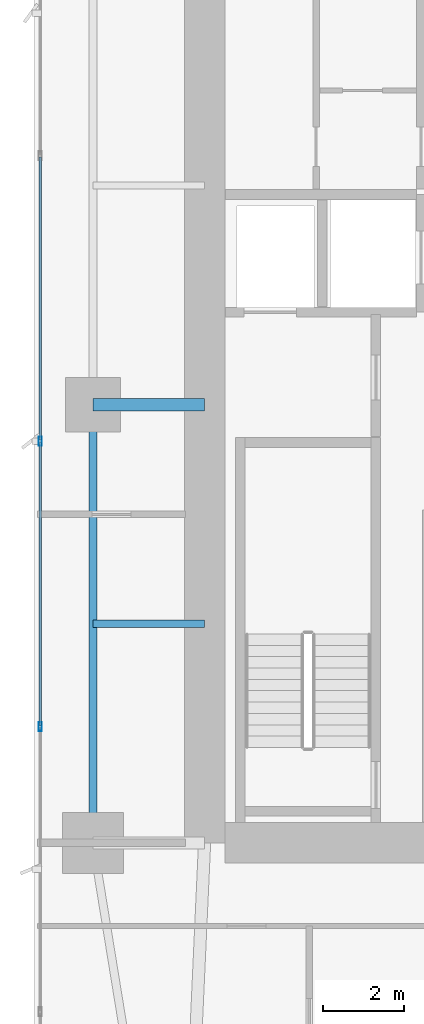
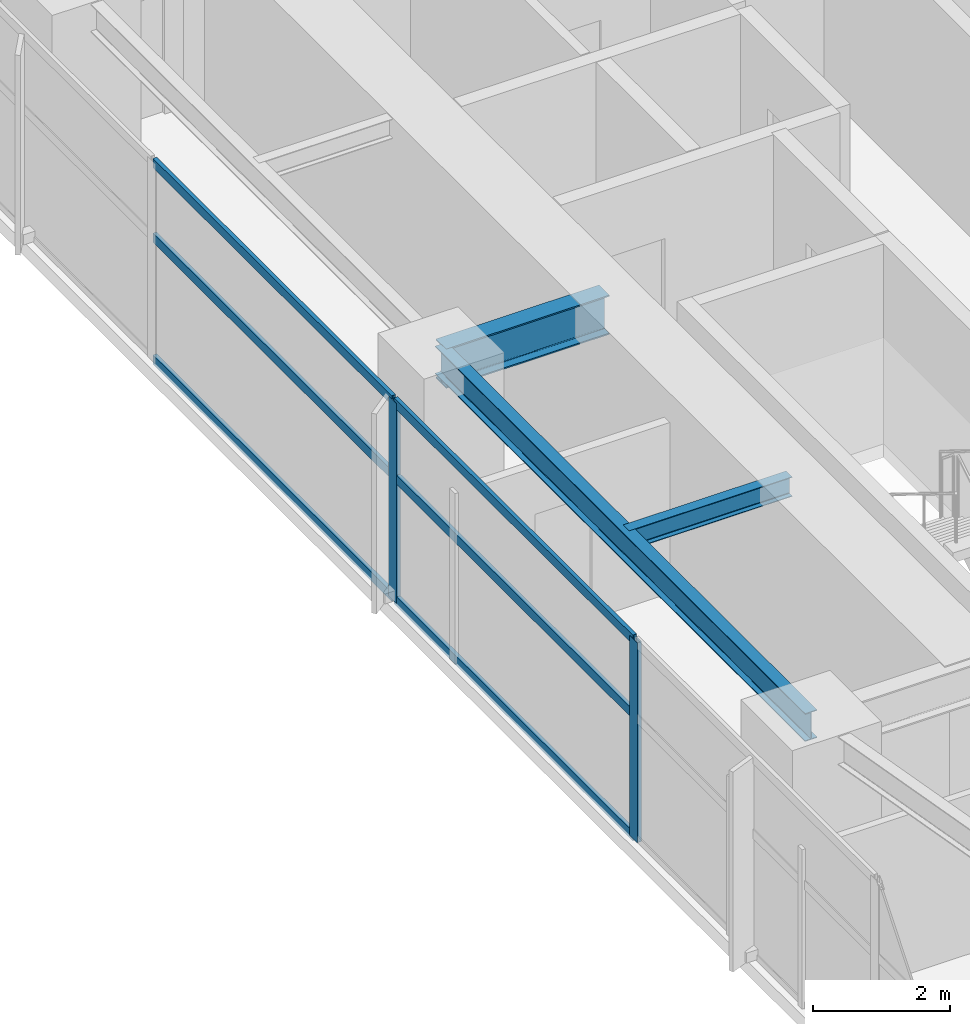
# One storey, part 8 of 30: 8 members, 3 beams, 1 element without a shape of its own.
"""IFC4 building model written with IfcOpenShell, lengths in metres."""

from ifc_helpers import new_model, si_unit, direction, frame, origin, origin_2d, place, context, subcontext, project, spatial, hollow_rectangle, i_section, extrude, material, layer, layer_set, material_profile, profile_set, type_object, element, aggregate, save


model = new_model("IFC4")

# Units and contexts
model_context = context("Model", 3, precision=1e-05, world=origin(), true_north=direction((0.0, 1.0)))
body_context = subcontext(model_context, "Body", "Model", "MODEL_VIEW")
ifc_project = project(units=[si_unit("LENGTHUNIT", "METRE"), si_unit("AREAUNIT", "SQUARE_METRE"), si_unit("VOLUMEUNIT", "CUBIC_METRE"), si_unit("PLANEANGLEUNIT", "RADIAN"), si_unit("MASSUNIT", "GRAM", prefix="KILO")], contexts=[model_context])

# Site, building, storey
site_placement = place(None, origin())
site = spatial("IfcSite", under=ifc_project, at=site_placement, CompositionType="ELEMENT")
building_placement = place(site_placement, origin())
building = spatial("IfcBuilding", under=site, at=building_placement, Name="Calvorn Quay Hotel", CompositionType="ELEMENT")
storey_placement = place(building_placement, frame((0.0, 0.0, 73.60009765625)))
storey = spatial("IfcBuildingStorey", under=building, at=storey_placement, Name="L17", CompositionType="ELEMENT", Elevation=73.60009765625)

# Beams
ifc_material_1 = material(Name="Steel Q390GJC", Category="steel")
ifc_material_profile_1 = material_profile(ifc_material_1, i_section(OverallWidth=0.300048828125, OverallDepth=0.699951171875, WebThickness=0.012939453125, FlangeThickness=0.02392578125, FilletRadius=0.02392578125, at=origin_2d()), Name="HN700x300x13x24")
ifc_profile_set_1 = profile_set([ifc_material_profile_1], Name="Steel Q390GJC")
beam_type_1 = type_object("IfcBeamType", Name="BM-GIRD-MAIN", PredefinedType="BEAM", material=ifc_profile_set_1)
beam_1_placement = place(storey_placement, frame((1.449951171875, 27.60009765625, 3.18994140625), z_axis=(1.0, 0.0, 0.0), x_axis=(0.0, 1.0, 0.0)))
element("IfcBeam", 1, at=beam_1_placement, inside=storey, type_object=beam_type_1, Name="Beam BG-L17-W2", PredefinedType="BEAM", context=body_context, shape_type="SweptSolid", body=[
    extrude(i_section(OverallWidth=0.300048828125, OverallDepth=0.699951171875, WebThickness=0.012939453125, FlangeThickness=0.02392578125, FilletRadius=0.02392578125, at=origin_2d()), origin(), (0.0, 0.0, 1.0), 2.75),
])
ifc_material_2 = material(Name="Steel Q355B", Category="steel")
ifc_material_profile_2 = material_profile(ifc_material_2, i_section(OverallWidth=0.175048828125, OverallDepth=0.35009765625, WebThickness=0.007080078125, FlangeThickness=0.010986328125, FilletRadius=0.013916015625, at=origin_2d()), Name="HN350x175x7x11")
ifc_profile_set_2 = profile_set([ifc_material_profile_2], Name="Steel Q355B")
beam_type_2 = type_object("IfcBeamType", Name="BM-JOIST-SEC", PredefinedType="JOIST", material=ifc_profile_set_2)
beam_2_placement = place(storey_placement, frame((1.449951171875, 22.199951171875, 3.364990234375), z_axis=(1.0, 0.0, 0.0), x_axis=(0.0, 1.0, 0.0)))
element("IfcBeam", 2, at=beam_2_placement, inside=storey, type_object=beam_type_2, Name="Beam BJ-L17-W3", PredefinedType="JOIST", context=body_context, shape_type="SweptSolid", body=[
    extrude(i_section(OverallWidth=0.175048828125, OverallDepth=0.35009765625, WebThickness=0.007080078125, FlangeThickness=0.010986328125, FilletRadius=0.013916015625, at=origin_2d()), origin(), (0.0, 0.0, 1.0), 2.75),
])
ifc_material_3 = material(Name="Steel Q355B", Category="steel")
ifc_material_profile_3 = material_profile(ifc_material_3, i_section(OverallWidth=0.199951171875, OverallDepth=0.5, WebThickness=0.010009765625, FlangeThickness=0.01611328125, FilletRadius=0.01611328125, at=origin_2d()), Name="HN500x200x10x16")
ifc_profile_set_3 = profile_set([ifc_material_profile_3], Name="Steel Q355B")
beam_type_3 = type_object("IfcBeamType", Name="BM-SPANDREL-Z1", PredefinedType="SPANDREL", material=ifc_profile_set_3)
beam_3_placement = place(storey_placement, frame((1.449951171875, 16.800048828125, 3.289794921875), z_axis=(0.0, 1.0, 0.0), x_axis=(-1.0, 0.0, 0.0)))
element("IfcBeam", 3, at=beam_3_placement, inside=storey, type_object=beam_type_3, Name="Beam BSP-L17-W2", PredefinedType="SPANDREL", context=body_context, shape_type="SweptSolid", body=[
    extrude(i_section(OverallWidth=0.199951171875, OverallDepth=0.5, WebThickness=0.010009765625, FlangeThickness=0.01611328125, FilletRadius=0.01611328125, at=origin_2d()), origin(), (0.0, 0.0, 1.0), 10.800048828125),
])

# Curtain wall, members
ifc_material_4 = material(Name="Pale Anodised Aluminium and Low-E Glass", Category="aluminium")
ifc_layer = layer(ifc_material_4, 0.219970703125)
ifc_layer_set = layer_set([ifc_layer], Name="CW-SYS-Z1")
curtain_wall_type = type_object("IfcCurtainWallType", Name="CW-SYS-Z1", PredefinedType="NOTDEFINED", material=ifc_layer_set)
curtain_wall_placement = place(storey_placement, origin())
curtain_wall = element("IfcCurtainWall", 4, at=curtain_wall_placement, inside=storey, type_object=curtain_wall_type, Name="Tower West Curtain Wall (L17)", PredefinedType="NOTDEFINED")
ifc_material_5 = material(Name="Pale Anodised Aluminium 6063-T6", Category="aluminium")
ifc_material_profile_4 = material_profile(ifc_material_5, hollow_rectangle(XDim=0.074951171875, YDim=0.219970703125, WallThickness=0.00439453125, at=origin_2d()), Name="ALU-M220x75x4.5")
ifc_profile_set_4 = profile_set([ifc_material_profile_4], Name="Pale Anodised Aluminium 6063-T6")
member_type_1 = type_object("IfcMemberType", Name="CW-SYS-Z1-MUL", PredefinedType="MULLION", material=ifc_profile_set_4)
member_1_placement = place(storey_placement, frame((0.14990234375, 19.666748046875, 0.0), z_axis=(0.0, 0.0, 1.0), x_axis=(-1.0, 0.0, 0.0)))
member_1 = element("IfcMember", 5, at=member_1_placement, type_object=member_type_1, Name="CW-L17-W mullion 3", PredefinedType="MULLION", context=body_context, shape_type="SweptSolid", body=[
    extrude(hollow_rectangle(XDim=0.074951171875, YDim=0.219970703125, WallThickness=0.00439453125, at=origin_2d()), origin(), (0.0, 0.0, 1.0), 3.559814453125),
])
member_2_placement = place(storey_placement, frame((0.14990234375, 26.699951171875, 0.0), z_axis=(0.0, 0.0, 1.0), x_axis=(-1.0, 0.0, 0.0)))
member_2 = element("IfcMember", 6, at=member_2_placement, type_object=member_type_1, Name="CW-L17-W mullion 4", PredefinedType="MULLION", context=body_context, shape_type="SweptSolid", body=[
    extrude(hollow_rectangle(XDim=0.074951171875, YDim=0.219970703125, WallThickness=0.00439453125, at=origin_2d()), origin(), (0.0, 0.0, 1.0), 3.559814453125),
])
ifc_material_6 = material(Name="Pale Anodised Aluminium 6063-T6", Category="aluminium")
ifc_material_profile_5 = material_profile(ifc_material_6, hollow_rectangle(XDim=0.06494140625, YDim=0.1650390625, WallThickness=0.00341796875, at=origin_2d()), Name="ALU-T165x65x3.5")
ifc_profile_set_5 = profile_set([ifc_material_profile_5], Name="Pale Anodised Aluminium 6063-T6")
member_type_2 = type_object("IfcMemberType", Name="CW-SYS-Z1-TRN", PredefinedType="USERDEFINED", material=ifc_profile_set_5)
member_3_placement = place(storey_placement, frame((0.14990234375, 19.69677734375, 0.02978515625), z_axis=(0.0, 1.0, 0.0), x_axis=(-1.0, 0.0, 0.0)))
member_3 = element("IfcMember", 7, at=member_3_placement, type_object=member_type_2, Name="CW-L17-W transom 3.1", ObjectType="TRANSOM", PredefinedType="USERDEFINED", context=body_context, shape_type="SweptSolid", body=[
    extrude(hollow_rectangle(XDim=0.06494140625, YDim=0.1650390625, WallThickness=0.00341796875, at=origin_2d()), origin(), (0.0, 0.0, 1.0), 6.97314453125),
])
member_4_placement = place(storey_placement, frame((0.14990234375, 19.69677734375, 2.199951171875), z_axis=(0.0, 1.0, 0.0), x_axis=(-1.0, 0.0, 0.0)))
member_4 = element("IfcMember", 8, at=member_4_placement, type_object=member_type_2, Name="CW-L17-W transom 3.2", ObjectType="TRANSOM", PredefinedType="USERDEFINED", context=body_context, shape_type="SweptSolid", body=[
    extrude(hollow_rectangle(XDim=0.06494140625, YDim=0.1650390625, WallThickness=0.00341796875, at=origin_2d()), origin(), (0.0, 0.0, 1.0), 6.97314453125),
])
member_5_placement = place(storey_placement, frame((0.14990234375, 19.69677734375, 3.52978515625), z_axis=(0.0, 1.0, 0.0), x_axis=(-1.0, 0.0, 0.0)))
member_5 = element("IfcMember", 9, at=member_5_placement, type_object=member_type_2, Name="CW-L17-W transom 3.3", ObjectType="TRANSOM", PredefinedType="USERDEFINED", context=body_context, shape_type="SweptSolid", body=[
    extrude(hollow_rectangle(XDim=0.06494140625, YDim=0.1650390625, WallThickness=0.00341796875, at=origin_2d()), origin(), (0.0, 0.0, 1.0), 6.97314453125),
])
member_6_placement = place(storey_placement, frame((0.14990234375, 26.72998046875, 0.02978515625), z_axis=(0.0, 1.0, 0.0), x_axis=(-1.0, 0.0, 0.0)))
member_6 = element("IfcMember", 10, at=member_6_placement, type_object=member_type_2, Name="CW-L17-W transom 4.1", ObjectType="TRANSOM", PredefinedType="USERDEFINED", context=body_context, shape_type="SweptSolid", body=[
    extrude(hollow_rectangle(XDim=0.06494140625, YDim=0.1650390625, WallThickness=0.00341796875, at=origin_2d()), origin(), (0.0, 0.0, 1.0), 6.973388671875),
])
member_7_placement = place(storey_placement, frame((0.14990234375, 26.72998046875, 2.199951171875), z_axis=(0.0, 1.0, 0.0), x_axis=(-1.0, 0.0, 0.0)))
member_7 = element("IfcMember", 11, at=member_7_placement, type_object=member_type_2, Name="CW-L17-W transom 4.2", ObjectType="TRANSOM", PredefinedType="USERDEFINED", context=body_context, shape_type="SweptSolid", body=[
    extrude(hollow_rectangle(XDim=0.06494140625, YDim=0.1650390625, WallThickness=0.00341796875, at=origin_2d()), origin(), (0.0, 0.0, 1.0), 6.973388671875),
])
member_8_placement = place(storey_placement, frame((0.14990234375, 26.72998046875, 3.52978515625), z_axis=(0.0, 1.0, 0.0), x_axis=(-1.0, 0.0, 0.0)))
member_8 = element("IfcMember", 12, at=member_8_placement, type_object=member_type_2, Name="CW-L17-W transom 4.3", ObjectType="TRANSOM", PredefinedType="USERDEFINED", context=body_context, shape_type="SweptSolid", body=[
    extrude(hollow_rectangle(XDim=0.06494140625, YDim=0.1650390625, WallThickness=0.00341796875, at=origin_2d()), origin(), (0.0, 0.0, 1.0), 6.973388671875),
])
aggregate(curtain_wall, [member_1, member_2, member_3, member_4, member_5, member_6, member_7, member_8])

save(model, "model.ifc")
